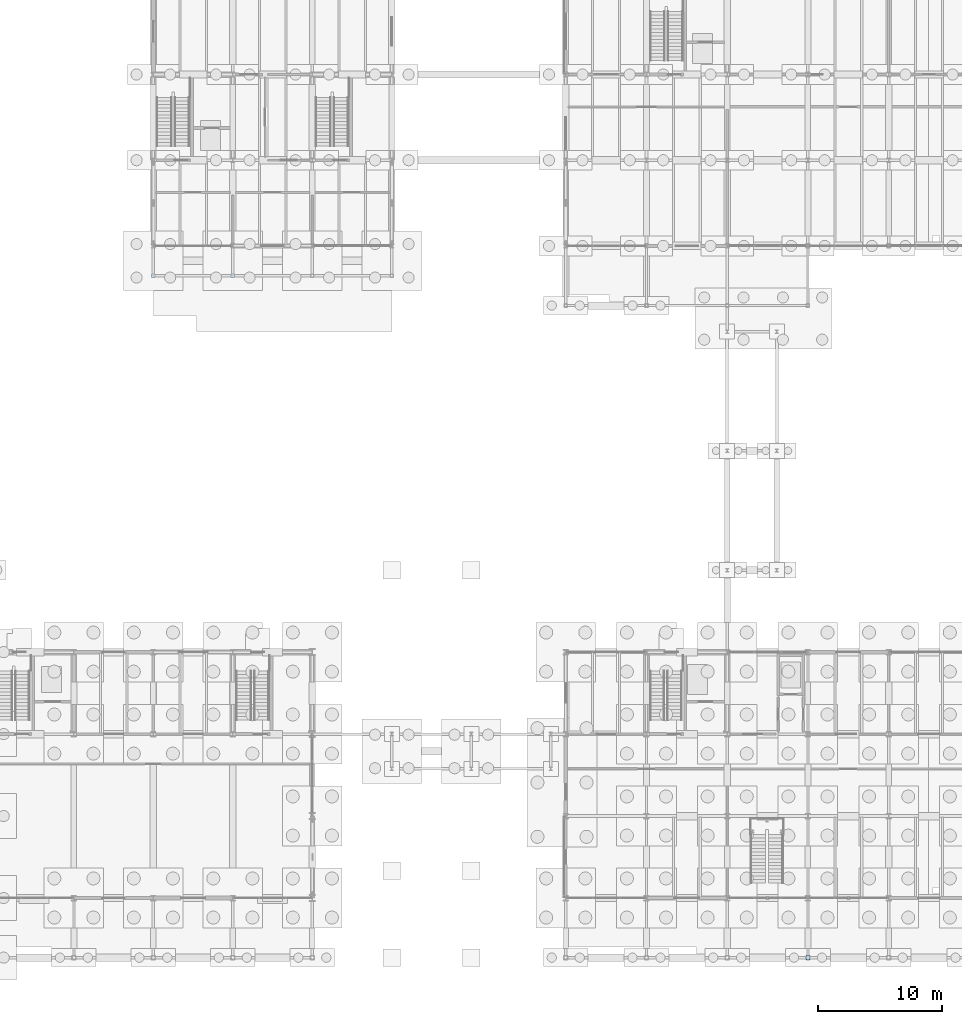
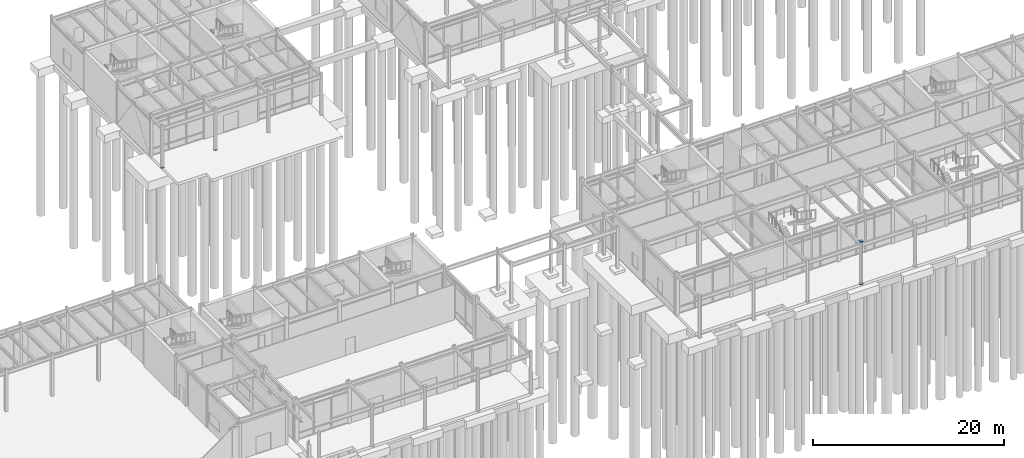
# One storey, part 59 of 82: 4 plates.
"""IFC4 building model written with IfcOpenShell, lengths in metres."""

from ifc_helpers import new_model, si_unit, direction, frame, origin, origin_2d, place, context, subcontext, project, spatial, rectangle, extrude, material, layer, layer_set, type_object, element, save


model = new_model("IFC4")

# Units and contexts
model_context = context("Model", 3, precision=1e-05, world=origin(), true_north=direction((0.0, 1.0)))
body_context = subcontext(model_context, "Body", "Model", "MODEL_VIEW")
ifc_project = project(units=[si_unit("LENGTHUNIT", "METRE"), si_unit("AREAUNIT", "SQUARE_METRE"), si_unit("VOLUMEUNIT", "CUBIC_METRE"), si_unit("PLANEANGLEUNIT", "RADIAN"), si_unit("MASSUNIT", "GRAM", prefix="KILO")], contexts=[model_context])

# Site, building, storey
site_placement = place(None, origin())
site = spatial("IfcSite", under=ifc_project, at=site_placement, CompositionType="ELEMENT")
building_placement = place(site_placement, origin())
building = spatial("IfcBuilding", under=site, at=building_placement, Name="Trelmorton Wharf Fire Station", CompositionType="ELEMENT")
storey_placement = place(building_placement, origin())
storey = spatial("IfcBuildingStorey", under=building, at=storey_placement, Name="L00", CompositionType="ELEMENT", Elevation=0.0)

# Plates
ifc_material = material(Name="Steel Grade 350", Category="steel")
ifc_layer = layer(ifc_material, 0.02001953125)
ifc_layer_set = layer_set([ifc_layer], Name="Steel Grade 350")
plate_type = type_object("IfcPlateType", Name="PL_ENDCAP_20", PredefinedType="SHEET", material=ifc_layer_set)
for number, where, z_axis, x_axis, name in (
    (1, (70.800048828125, 57.89990234375, -0.02197265625), (0.0, 0.0, 1.0), (1.0, 0.0, 0.0), "PL-COLCAP-B-0111"),
    (2, (77.199951171875, 57.89990234375, -0.02197265625), (0.0, 0.0, 1.0), (1.0, 0.0, 0.0), "PL-COLCAP-B-0120"),
):
    element("IfcPlate", number, at=place(storey_placement, frame(where, z_axis=z_axis, x_axis=x_axis)), inside=storey, type_object=plate_type, Name=name, PredefinedType="SHEET", context=body_context, shape_type="SweptSolid", body=[
        extrude(rectangle(XDim=0.27001953125, YDim=0.27001953125, at=origin_2d()), origin(), (0.0, 0.0, 1.0), 0.02392578125),
    ])
for number, where, z_axis, x_axis, name in (
    (3, (123.5, 3.0, -0.02197265625), (0.0, 0.0, 1.0), (1.0, 0.0, 0.0), "PL-COLCAP-B-0182"),
    (4, (123.5, 3.0, 5.39794921875), (0.0, 0.0, 1.0), (1.0, 0.0, 0.0), "PL-COLCAP-T-0182"),
):
    element("IfcPlate", number, at=place(storey_placement, frame(where, z_axis=z_axis, x_axis=x_axis)), inside=storey, type_object=plate_type, Name=name, PredefinedType="SHEET", context=body_context, shape_type="SweptSolid", body=[
        extrude(rectangle(XDim=0.343994140625, YDim=0.343994140625, at=origin_2d()), origin(), (0.0, 0.0, 1.0), 0.02392578125),
    ])

save(model, "model.ifc")
